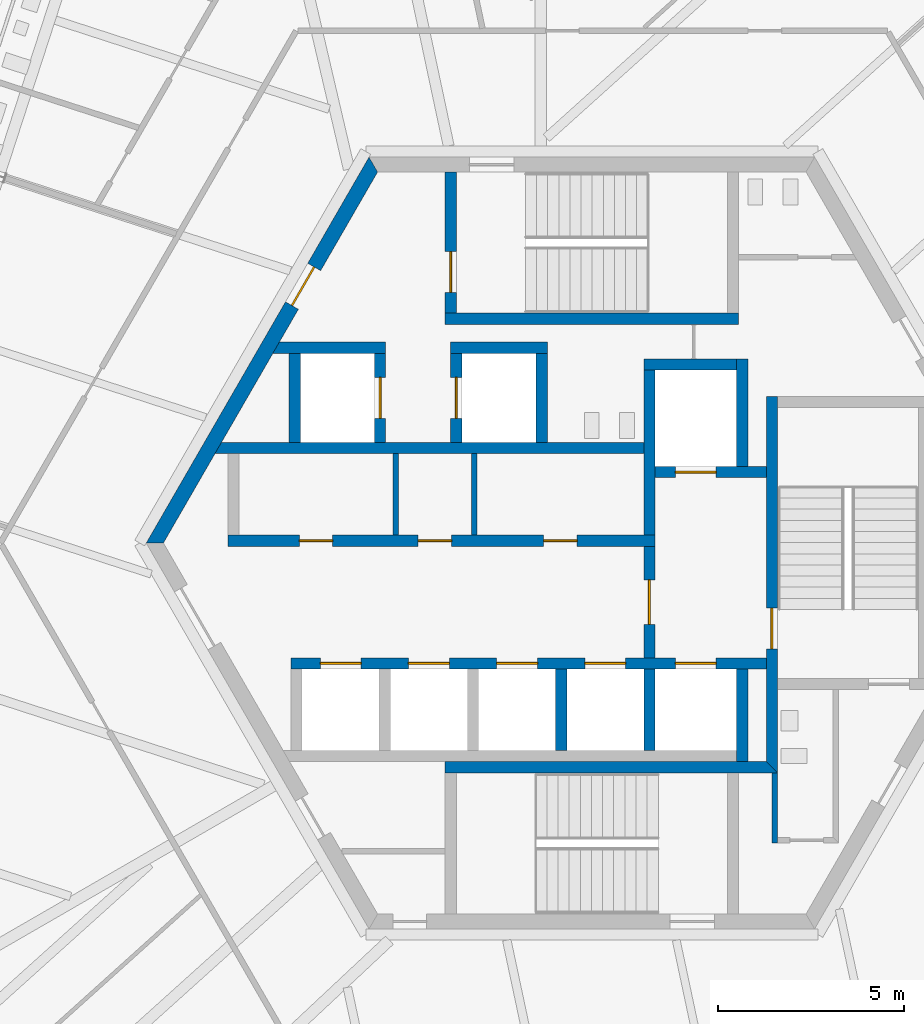
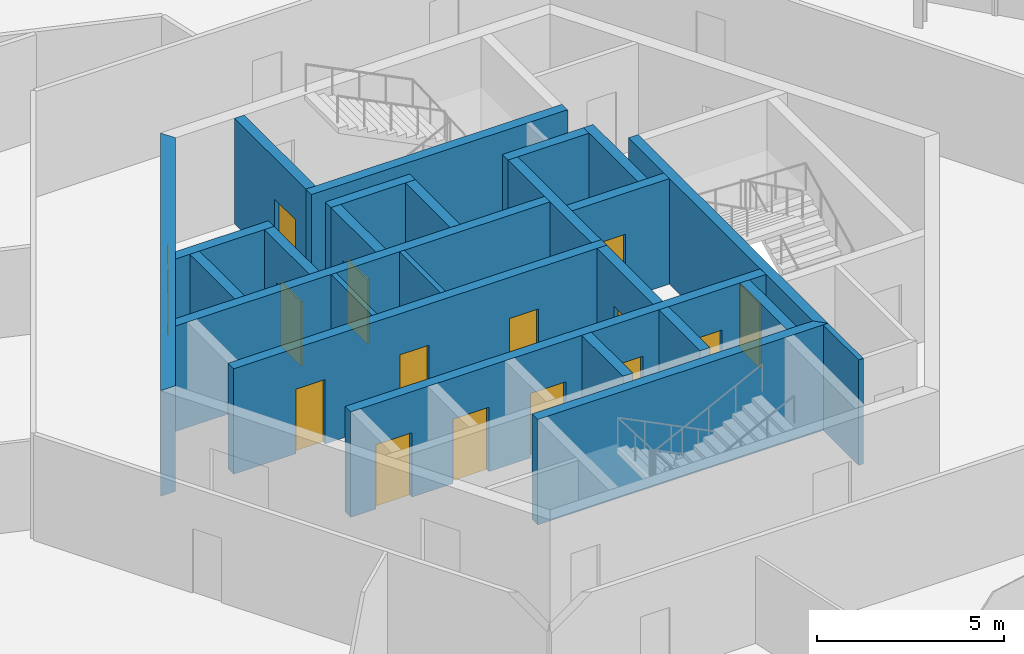
# One storey, part 10 of 16: 25 walls, 15 doors, 15 openings.
"""IFC4 building model written with IfcOpenShell, lengths in metres."""

from ifc_helpers import new_model, si_unit, direction, frame, frame_2d, origin, place, context, subcontext, project, spatial, polyline, rectangle, outline, extrude, source, transform, mapped, material, layer, layer_set, type_object, element, fill, save


model = new_model("IFC4")

# Units and contexts
model_context = context("Model", 3, precision=1e-05, world=origin(), true_north=direction((0.0, 1.0)))
body_context = subcontext(model_context, "Body", "Model", "MODEL_VIEW")
ifc_project = project(units=[si_unit("LENGTHUNIT", "METRE"), si_unit("AREAUNIT", "SQUARE_METRE"), si_unit("VOLUMEUNIT", "CUBIC_METRE"), si_unit("PLANEANGLEUNIT", "RADIAN"), si_unit("MASSUNIT", "GRAM", prefix="KILO")], contexts=[model_context])

# Site, building, storey
site_placement = place(None, origin())
site = spatial("IfcSite", under=ifc_project, at=site_placement, CompositionType="ELEMENT")
building_placement = place(site_placement, origin())
building = spatial("IfcBuilding", under=site, at=building_placement, Name="Triune Harvest Tower", CompositionType="ELEMENT")
storey_placement = place(building_placement, frame((0.0, 0.0, 266.699951171875)))
storey = spatial("IfcBuildingStorey", under=building, at=storey_placement, Name="L70", CompositionType="ELEMENT", Elevation=266.699951171875)

# Wall, opening, door
ifc_material_1 = material(Name="Concrete 70 MPa", Category="concrete")
ifc_layer_1 = layer(ifc_material_1, 0.39990234375)
ifc_layer_set_1 = layer_set([ifc_layer_1], Name="Concrete 70 MPa")
wall_type_1 = type_object("IfcWallType", Name="Core wall 400", PredefinedType="SHEAR", material=ifc_layer_set_1)
shared_shape_1 = source(origin(), body_context, "Body", "SweptSolid", [
    extrude(outline(polyline([(-0.115478515625, -0.199951171875), (11.884521484375, -0.199951171875), (11.653564453125, 0.199951171875), (0.115478515625, 0.199951171875), (-0.115478515625, -0.199951171875)])), origin(), (0.0, 0.0, 1.0), 3.43994140625),
])
wall_1_placement = place(storey_placement, frame((-5.884521484375, 10.1923828125, 0.0), z_axis=(0.0, 0.0, 1.0), x_axis=(-0.499996592174, -0.866027371285, 0.0)))
wall_1 = element("IfcWall", 1, at=wall_1_placement, inside=storey, type_object=wall_type_1, Name="Hexagon 2 wall", PredefinedType="SHEAR", context=body_context, shape_type="MappedRepresentation", body=[
    mapped(shared_shape_1, transform((0.0, 0.0, 0.0), scale=1.0)),
])
opening_1_placement = place(wall_1_placement, frame((3.1845703125, 0.0, 0.0)))
opening_1 = element("IfcOpeningElement", 2, at=opening_1_placement, cuts=wall_1, Name="Opening CD-SVP", PredefinedType="OPENING", context=body_context, shape_type="SweptSolid", body=[
    extrude(rectangle(XDim=1.199951171875, YDim=2.10009765625, at=frame_2d((0.60009765625, 1.050048828125))), frame((0.0, 0.2099609375, 0.0), z_axis=(0.0, -1.0, 0.0), x_axis=(1.0, 0.0, 0.0)), (0.0, 0.0, 1.0), 0.419921875),
])
ifc_material_2 = material(Name="Steel S235", Category="steel")
door_type_1 = type_object("IfcDoorType", Name="Service door 1200 FD120", OperationType="SINGLE_SWING_LEFT", PredefinedType="DOOR", material=ifc_material_2)
door_1_placement = place(opening_1_placement, frame((1.199951171875, 0.0, 0.0), z_axis=(0.0, 0.0, 1.0), x_axis=(-1.0, 0.0, 0.0)))
door_1 = element("IfcDoor", 3, at=door_1_placement, inside=storey, type_object=door_type_1, Name="Door CD-SVP", OperationType="SINGLE_SWING_RIGHT", OverallHeight=2.10009765625, OverallWidth=1.199951171875, PredefinedType="DOOR", context=body_context, shape_type="SweptSolid", body=[
    extrude(rectangle(XDim=1.199951171875, YDim=2.10009765625, at=frame_2d((0.60009765625, 1.050048828125))), frame((0.0, 0.02490234375, 0.0), z_axis=(0.0, -1.0, 0.0), x_axis=(1.0, 0.0, 0.0)), (0.0, 0.0, 1.0), 0.050048828125),
])
fill(opening_1, door_1)

# Wall, openings, doors
ifc_material_3 = material(Name="Concrete 70 MPa", Category="concrete")
ifc_layer_2 = layer(ifc_material_3, 0.300048828125)
ifc_layer_set_2 = layer_set([ifc_layer_2], Name="Concrete 70 MPa")
wall_type_2 = type_object("IfcWallType", Name="Core wall 300", PredefinedType="SHEAR", material=ifc_layer_set_2)
shared_shape_2 = source(origin(), body_context, "Body", "SweptSolid", [
    extrude(rectangle(XDim=11.5, YDim=0.300048828125, at=frame_2d((5.75, 0.0))), origin(), (0.0, 0.0, 1.0), 3.43994140625),
])
wall_2_placement = place(storey_placement, frame((-9.800048828125, 0.06005859375, 0.0), z_axis=(0.0, 0.0, 1.0), x_axis=(1.0, 0.0, 0.0)))
wall_2 = element("IfcWall", 4, at=wall_2_placement, inside=storey, type_object=wall_type_2, Name="North front wall", PredefinedType="SHEAR", context=body_context, shape_type="MappedRepresentation", body=[
    mapped(shared_shape_2, transform((0.0, 0.0, 0.0), scale=1.0)),
])
opening_2_placement = place(wall_2_placement, frame((1.922607421875, 0.0, 0.0)))
opening_2 = element("IfcOpeningElement", 5, at=opening_2_placement, cuts=wall_2, Name="Opening CD-RN1", PredefinedType="OPENING", context=body_context, shape_type="SweptSolid", body=[
    extrude(rectangle(XDim=0.89990234375, YDim=2.10009765625, at=frame_2d((0.449951171875, 1.050048828125))), frame((0.0, 0.16015625, 0.0), z_axis=(0.0, -1.0, 0.0), x_axis=(1.0, 0.0, 0.0)), (0.0, 0.0, 1.0), 0.320068359375),
])
opening_3_placement = place(wall_2_placement, frame((5.125, 0.0, 0.0)))
opening_3 = element("IfcOpeningElement", 6, at=opening_3_placement, cuts=wall_2, Name="Opening CD-RN2", PredefinedType="OPENING", context=body_context, shape_type="SweptSolid", body=[
    extrude(rectangle(XDim=0.89990234375, YDim=2.10009765625, at=frame_2d((0.449951171875, 1.050048828125))), frame((0.0, 0.16015625, 0.0), z_axis=(0.0, -1.0, 0.0), x_axis=(1.0, 0.0, 0.0)), (0.0, 0.0, 1.0), 0.320068359375),
])
opening_4_placement = place(wall_2_placement, frame((8.50244140625, 0.0, 0.0)))
opening_4 = element("IfcOpeningElement", 7, at=opening_4_placement, cuts=wall_2, Name="Opening CD-RN3", PredefinedType="OPENING", context=body_context, shape_type="SweptSolid", body=[
    extrude(rectangle(XDim=0.89990234375, YDim=2.10009765625, at=frame_2d((0.449951171875, 1.050048828125))), frame((0.0, 0.16015625, 0.0), z_axis=(0.0, -1.0, 0.0), x_axis=(1.0, 0.0, 0.0)), (0.0, 0.0, 1.0), 0.320068359375),
])
ifc_material_4 = material(Name="Steel S235", Category="steel")
door_type_2 = type_object("IfcDoorType", Name="Riser door 900 FD120", OperationType="SINGLE_SWING_LEFT", PredefinedType="DOOR", material=ifc_material_4)
door_2_placement = place(opening_2_placement, frame((0.89990234375, 0.0, 0.0), z_axis=(0.0, 0.0, 1.0), x_axis=(-1.0, 0.0, 0.0)))
door_2 = element("IfcDoor", 8, at=door_2_placement, inside=storey, type_object=door_type_2, Name="Door CD-RN1", OperationType="SINGLE_SWING_RIGHT", OverallHeight=2.10009765625, OverallWidth=0.89990234375, PredefinedType="DOOR", context=body_context, shape_type="SweptSolid", body=[
    extrude(rectangle(XDim=0.89990234375, YDim=2.10009765625, at=frame_2d((0.449951171875, 1.050048828125))), frame((0.0, 0.02490234375, 0.0), z_axis=(0.0, -1.0, 0.0), x_axis=(1.0, 0.0, 0.0)), (0.0, 0.0, 1.0), 0.050048828125),
])
fill(opening_2, door_2)
door_3_placement = place(opening_3_placement, frame((0.89990234375, 0.0, 0.0), z_axis=(0.0, 0.0, 1.0), x_axis=(-1.0, 0.0, 0.0)))
door_3 = element("IfcDoor", 9, at=door_3_placement, inside=storey, type_object=door_type_2, Name="Door CD-RN2", OperationType="SINGLE_SWING_RIGHT", OverallHeight=2.10009765625, OverallWidth=0.89990234375, PredefinedType="DOOR", context=body_context, shape_type="SweptSolid", body=[
    extrude(rectangle(XDim=0.89990234375, YDim=2.10009765625, at=frame_2d((0.449951171875, 1.050048828125))), frame((0.0, 0.02490234375, 0.0), z_axis=(0.0, -1.0, 0.0), x_axis=(1.0, 0.0, 0.0)), (0.0, 0.0, 1.0), 0.050048828125),
])
fill(opening_3, door_3)
door_4_placement = place(opening_4_placement, frame((0.89990234375, 0.0, 0.0), z_axis=(0.0, 0.0, 1.0), x_axis=(-1.0, 0.0, 0.0)))
door_4 = element("IfcDoor", 10, at=door_4_placement, inside=storey, type_object=door_type_2, Name="Door CD-RN3", OperationType="SINGLE_SWING_RIGHT", OverallHeight=2.10009765625, OverallWidth=0.89990234375, PredefinedType="DOOR", context=body_context, shape_type="SweptSolid", body=[
    extrude(rectangle(XDim=0.89990234375, YDim=2.10009765625, at=frame_2d((0.449951171875, 1.050048828125))), frame((0.0, 0.02490234375, 0.0), z_axis=(0.0, -1.0, 0.0), x_axis=(1.0, 0.0, 0.0)), (0.0, 0.0, 1.0), 0.050048828125),
])
fill(opening_4, door_4)

# Walls
shared_shape_3 = source(origin(), body_context, "Body", "SweptSolid", [
    extrude(outline(polyline([(11.199951171875, -0.14990234375), (-0.34912109375, -0.14990234375), (-0.17578125, 0.14990234375), (11.199951171875, 0.14990234375), (11.199951171875, -0.14990234375)])), origin(), (0.0, 0.0, 1.0), 3.43994140625),
])
wall_3_placement = place(storey_placement, frame((-9.800048828125, 2.56005859375, 0.0), z_axis=(0.0, 0.0, 1.0), x_axis=(1.0, 0.0, 0.0)))
element("IfcWall", 11, at=wall_3_placement, inside=storey, type_object=wall_type_2, Name="North back wall", PredefinedType="SHEAR", context=body_context, shape_type="MappedRepresentation", body=[
    mapped(shared_shape_3, transform((0.0, 0.0, 0.0), scale=1.0)),
])
shared_shape_4 = source(origin(), body_context, "Body", "SweptSolid", [
    extrude(rectangle(XDim=2.5, YDim=0.300048828125, at=frame_2d((1.25, 0.0))), origin(), (0.0, 0.0, 1.0), 3.43994140625),
])
for number, where, z_axis, x_axis, name in (
    (12, (1.39990234375, 4.81005859375, 0.0), (0.0, 0.0, 1.0), (1.0, 0.0, 0.0), "Ff1 back wall"),
    (13, (4.050048828125, -5.889892578125, 0.0), (0.0, 0.0, 1.0), (0.0, 1.0, 0.0), "Ff2 east wall"),
):
    element("IfcWall", number, at=place(storey_placement, frame(where, z_axis=z_axis, x_axis=x_axis)), inside=storey, type_object=wall_type_2, Name=name, PredefinedType="SHEAR", context=body_context, shape_type="MappedRepresentation", body=[
        mapped(shared_shape_4, transform((0.0, 0.0, 0.0), scale=1.0)),
    ])
shared_shape_5 = source(origin(), body_context, "Body", "SweptSolid", [
    extrude(rectangle(XDim=4.449951171875, YDim=0.300048828125, at=frame_2d((2.22509765625, 0.0))), origin(), (0.0, 0.0, 1.0), 3.43994140625),
])
wall_4_placement = place(storey_placement, frame((1.550048828125, 0.2099609375, 0.0), z_axis=(0.0, 0.0, 1.0), x_axis=(0.0, 1.0, 0.0)))
element("IfcWall", 14, at=wall_4_placement, inside=storey, type_object=wall_type_2, Name="Ff1 west wall", PredefinedType="SHEAR", context=body_context, shape_type="MappedRepresentation", body=[
    mapped(shared_shape_5, transform((0.0, 0.0, 0.0), scale=1.0)),
])

# Wall, opening, door
shared_shape_6 = source(origin(), body_context, "Body", "SweptSolid", [
    extrude(rectangle(XDim=3.0, YDim=0.300048828125, at=frame_2d((1.5, 0.0))), origin(), (0.0, 0.0, 1.0), 3.43994140625),
])
wall_5_placement = place(storey_placement, frame((1.699951171875, 1.909912109375, 0.0), z_axis=(0.0, 0.0, 1.0), x_axis=(1.0, 0.0, 0.0)))
wall_5 = element("IfcWall", 15, at=wall_5_placement, inside=storey, type_object=wall_type_2, Name="Ff1 front wall", PredefinedType="SHEAR", context=body_context, shape_type="MappedRepresentation", body=[
    mapped(shared_shape_6, transform((0.0, 0.0, 0.0), scale=1.0)),
])
opening_5_placement = place(wall_5_placement, frame((0.550048828125, 0.0, 0.0)))
opening_5 = element("IfcOpeningElement", 16, at=opening_5_placement, cuts=wall_5, Name="Opening LD-FF1-70", PredefinedType="OPENING", context=body_context, shape_type="SweptSolid", body=[
    extrude(rectangle(XDim=1.10009765625, YDim=2.10009765625, at=frame_2d((0.550048828125, 1.050048828125))), frame((0.0, 0.16015625, 0.0), z_axis=(0.0, -1.0, 0.0), x_axis=(1.0, 0.0, 0.0)), (0.0, 0.0, 1.0), 0.320068359375),
])
ifc_material_5 = material(Name="Stainless steel AISI 304", Category="steel")
door_type_3 = type_object("IfcDoorType", Name="Landing door 1100 x 2100", OperationType="DOUBLE_DOOR_SLIDING", PredefinedType="DOOR", material=ifc_material_5)
door_5_placement = place(opening_5_placement, origin())
door_5 = element("IfcDoor", 17, at=door_5_placement, inside=storey, type_object=door_type_3, Name="Door LD-FF1-70", OperationType="DOUBLE_DOOR_SLIDING", OverallHeight=2.10009765625, OverallWidth=1.10009765625, PredefinedType="DOOR", context=body_context, shape_type="SweptSolid", body=[
    extrude(rectangle(XDim=1.10009765625, YDim=2.10009765625, at=frame_2d((0.550048828125, 1.050048828125))), frame((0.0, 0.02490234375, 0.0), z_axis=(0.0, -1.0, 0.0), x_axis=(1.0, 0.0, 0.0)), (0.0, 0.0, 1.0), 0.050048828125),
])
fill(opening_5, door_5)

wall_6_placement = place(storey_placement, frame((1.550048828125, -3.090087890625, 0.0), z_axis=(0.0, 0.0, 1.0), x_axis=(0.0, 1.0, 0.0)))
wall_6 = element("IfcWall", 18, at=wall_6_placement, inside=storey, type_object=wall_type_2, Name="Ff lobby west wall", PredefinedType="SHEAR", context=body_context, shape_type="MappedRepresentation", body=[
    mapped(shared_shape_6, transform((0.0, 0.0, 0.0), scale=1.0)),
])
opening_6_placement = place(wall_6_placement, frame((0.89990234375, 0.0, 0.0)))
opening_6 = element("IfcOpeningElement", 19, at=opening_6_placement, cuts=wall_6, Name="Opening CD-FL", PredefinedType="OPENING", context=body_context, shape_type="SweptSolid", body=[
    extrude(rectangle(XDim=1.199951171875, YDim=2.10009765625, at=frame_2d((0.60009765625, 1.050048828125))), frame((0.0, 0.16015625, 0.0), z_axis=(0.0, -1.0, 0.0), x_axis=(1.0, 0.0, 0.0)), (0.0, 0.0, 1.0), 0.320068359375),
])
ifc_material_6 = material(Name="Steel S235", Category="steel")
door_type_4 = type_object("IfcDoorType", Name="Firefighters' lobby door 1200 FD120", OperationType="SINGLE_SWING_LEFT", PredefinedType="DOOR", material=ifc_material_6)
door_6_placement = place(opening_6_placement, frame((1.199951171875, 0.0, 0.0), z_axis=(0.0, 0.0, 1.0), x_axis=(-1.0, 0.0, 0.0)))
door_6 = element("IfcDoor", 20, at=door_6_placement, inside=storey, type_object=door_type_4, Name="Door CD-FL", OperationType="SINGLE_SWING_RIGHT", OverallHeight=2.10009765625, OverallWidth=1.199951171875, PredefinedType="DOOR", context=body_context, shape_type="SweptSolid", body=[
    extrude(rectangle(XDim=1.199951171875, YDim=2.10009765625, at=frame_2d((0.60009765625, 1.050048828125))), frame((0.0, 0.02490234375, 0.0), z_axis=(0.0, -1.0, 0.0), x_axis=(1.0, 0.0, 0.0)), (0.0, 0.0, 1.0), 0.050048828125),
])
fill(opening_6, door_6)

# Wall
shared_shape_7 = source(origin(), body_context, "Body", "SweptSolid", [
    extrude(rectangle(XDim=2.89990234375, YDim=0.300048828125, at=frame_2d((1.449951171875, 0.0))), origin(), (0.0, 0.0, 1.0), 3.43994140625),
])
wall_7_placement = place(storey_placement, frame((4.050048828125, 2.06005859375, 0.0), z_axis=(0.0, 0.0, 1.0), x_axis=(0.0, 1.0, 0.0)))
element("IfcWall", 21, at=wall_7_placement, inside=storey, type_object=wall_type_2, Name="Ff1 east wall", PredefinedType="SHEAR", context=body_context, shape_type="MappedRepresentation", body=[
    mapped(shared_shape_7, transform((0.0, 0.0, 0.0), scale=1.0)),
])

# Wall, openings, doors
shared_shape_8 = source(origin(), body_context, "Body", "SweptSolid", [
    extrude(rectangle(XDim=12.800048828125, YDim=0.300048828125, at=frame_2d((6.39990234375, 0.0))), origin(), (0.0, 0.0, 1.0), 3.43994140625),
])
wall_8_placement = place(storey_placement, frame((-8.10009765625, -3.239990234375, 0.0), z_axis=(0.0, 0.0, 1.0), x_axis=(1.0, 0.0, 0.0)))
wall_8 = element("IfcWall", 22, at=wall_8_placement, inside=storey, type_object=wall_type_2, Name="South front wall", PredefinedType="SHEAR", context=body_context, shape_type="MappedRepresentation", body=[
    mapped(shared_shape_8, transform((0.0, 0.0, 0.0), scale=1.0)),
])
opening_7_placement = place(wall_8_placement, frame((0.78759765625, 0.0, 0.0)))
opening_7 = element("IfcOpeningElement", 23, at=opening_7_placement, cuts=wall_8, Name="Opening LD-HR1-70", PredefinedType="OPENING", context=body_context, shape_type="SweptSolid", body=[
    extrude(rectangle(XDim=1.10009765625, YDim=2.10009765625, at=frame_2d((0.550048828125, 1.050048828125))), frame((0.0, 0.16015625, 0.0), z_axis=(0.0, -1.0, 0.0), x_axis=(1.0, 0.0, 0.0)), (0.0, 0.0, 1.0), 0.320068359375),
])
opening_8_placement = place(wall_8_placement, frame((3.16259765625, 0.0, 0.0)))
opening_8 = element("IfcOpeningElement", 24, at=opening_8_placement, cuts=wall_8, Name="Opening LD-HR2-70", PredefinedType="OPENING", context=body_context, shape_type="SweptSolid", body=[
    extrude(rectangle(XDim=1.10009765625, YDim=2.10009765625, at=frame_2d((0.550048828125, 1.050048828125))), frame((0.0, 0.16015625, 0.0), z_axis=(0.0, -1.0, 0.0), x_axis=(1.0, 0.0, 0.0)), (0.0, 0.0, 1.0), 0.320068359375),
])
opening_9_placement = place(wall_8_placement, frame((5.53759765625, 0.0, 0.0)))
opening_9 = element("IfcOpeningElement", 25, at=opening_9_placement, cuts=wall_8, Name="Opening LD-HR3-70", PredefinedType="OPENING", context=body_context, shape_type="SweptSolid", body=[
    extrude(rectangle(XDim=1.10009765625, YDim=2.10009765625, at=frame_2d((0.550048828125, 1.050048828125))), frame((0.0, 0.16015625, 0.0), z_axis=(0.0, -1.0, 0.0), x_axis=(1.0, 0.0, 0.0)), (0.0, 0.0, 1.0), 0.320068359375),
])
opening_10_placement = place(wall_8_placement, frame((7.91259765625, 0.0, 0.0)))
opening_10 = element("IfcOpeningElement", 26, at=opening_10_placement, cuts=wall_8, Name="Opening LD-HR4-70", PredefinedType="OPENING", context=body_context, shape_type="SweptSolid", body=[
    extrude(rectangle(XDim=1.10009765625, YDim=2.10009765625, at=frame_2d((0.550048828125, 1.050048828125))), frame((0.0, 0.16015625, 0.0), z_axis=(0.0, -1.0, 0.0), x_axis=(1.0, 0.0, 0.0)), (0.0, 0.0, 1.0), 0.320068359375),
])
opening_11_placement = place(wall_8_placement, frame((10.35009765625, 0.0, 0.0)))
opening_11 = element("IfcOpeningElement", 27, at=opening_11_placement, cuts=wall_8, Name="Opening LD-FF2-70", PredefinedType="OPENING", context=body_context, shape_type="SweptSolid", body=[
    extrude(rectangle(XDim=1.10009765625, YDim=2.10009765625, at=frame_2d((0.550048828125, 1.050048828125))), frame((0.0, 0.16015625, 0.0), z_axis=(0.0, -1.0, 0.0), x_axis=(1.0, 0.0, 0.0)), (0.0, 0.0, 1.0), 0.320068359375),
])
door_7_placement = place(opening_7_placement, origin())
door_7 = element("IfcDoor", 28, at=door_7_placement, inside=storey, type_object=door_type_3, Name="Door LD-HR1-70", OperationType="DOUBLE_DOOR_SLIDING", OverallHeight=2.10009765625, OverallWidth=1.10009765625, PredefinedType="DOOR", context=body_context, shape_type="SweptSolid", body=[
    extrude(rectangle(XDim=1.10009765625, YDim=2.10009765625, at=frame_2d((0.550048828125, 1.050048828125))), frame((0.0, 0.02490234375, 0.0), z_axis=(0.0, -1.0, 0.0), x_axis=(1.0, 0.0, 0.0)), (0.0, 0.0, 1.0), 0.050048828125),
])
fill(opening_7, door_7)
door_8_placement = place(opening_8_placement, origin())
door_8 = element("IfcDoor", 29, at=door_8_placement, inside=storey, type_object=door_type_3, Name="Door LD-HR2-70", OperationType="DOUBLE_DOOR_SLIDING", OverallHeight=2.10009765625, OverallWidth=1.10009765625, PredefinedType="DOOR", context=body_context, shape_type="SweptSolid", body=[
    extrude(rectangle(XDim=1.10009765625, YDim=2.10009765625, at=frame_2d((0.550048828125, 1.050048828125))), frame((0.0, 0.02490234375, 0.0), z_axis=(0.0, -1.0, 0.0), x_axis=(1.0, 0.0, 0.0)), (0.0, 0.0, 1.0), 0.050048828125),
])
fill(opening_8, door_8)
door_9_placement = place(opening_9_placement, origin())
door_9 = element("IfcDoor", 30, at=door_9_placement, inside=storey, type_object=door_type_3, Name="Door LD-HR3-70", OperationType="DOUBLE_DOOR_SLIDING", OverallHeight=2.10009765625, OverallWidth=1.10009765625, PredefinedType="DOOR", context=body_context, shape_type="SweptSolid", body=[
    extrude(rectangle(XDim=1.10009765625, YDim=2.10009765625, at=frame_2d((0.550048828125, 1.050048828125))), frame((0.0, 0.02490234375, 0.0), z_axis=(0.0, -1.0, 0.0), x_axis=(1.0, 0.0, 0.0)), (0.0, 0.0, 1.0), 0.050048828125),
])
fill(opening_9, door_9)
door_10_placement = place(opening_10_placement, origin())
door_10 = element("IfcDoor", 31, at=door_10_placement, inside=storey, type_object=door_type_3, Name="Door LD-HR4-70", OperationType="DOUBLE_DOOR_SLIDING", OverallHeight=2.10009765625, OverallWidth=1.10009765625, PredefinedType="DOOR", context=body_context, shape_type="SweptSolid", body=[
    extrude(rectangle(XDim=1.10009765625, YDim=2.10009765625, at=frame_2d((0.550048828125, 1.050048828125))), frame((0.0, 0.02490234375, 0.0), z_axis=(0.0, -1.0, 0.0), x_axis=(1.0, 0.0, 0.0)), (0.0, 0.0, 1.0), 0.050048828125),
])
fill(opening_10, door_10)
door_11_placement = place(opening_11_placement, origin())
door_11 = element("IfcDoor", 32, at=door_11_placement, inside=storey, type_object=door_type_3, Name="Door LD-FF2-70", OperationType="DOUBLE_DOOR_SLIDING", OverallHeight=2.10009765625, OverallWidth=1.10009765625, PredefinedType="DOOR", context=body_context, shape_type="SweptSolid", body=[
    extrude(rectangle(XDim=1.10009765625, YDim=2.10009765625, at=frame_2d((0.550048828125, 1.050048828125))), frame((0.0, 0.02490234375, 0.0), z_axis=(0.0, -1.0, 0.0), x_axis=(1.0, 0.0, 0.0)), (0.0, 0.0, 1.0), 0.050048828125),
])
fill(opening_11, door_11)

# Walls
shared_shape_9 = source(origin(), body_context, "Body", "SweptSolid", [
    extrude(rectangle(XDim=2.2001953125, YDim=0.300048828125, at=frame_2d((1.10009765625, 0.0))), origin(), (0.0, 0.0, 1.0), 3.43994140625),
])
for number, where, z_axis, x_axis, name in (
    (33, (1.550048828125, -5.590087890625, 0.0), (0.0, 0.0, 1.0), (0.0, 1.0, 0.0), "Ff2 west wall"),
    (34, (-0.824951171875, -5.590087890625, 0.0), (0.0, 0.0, 1.0), (0.0, 1.0, 0.0), "South cross 3 wall"),
):
    element("IfcWall", number, at=place(storey_placement, frame(where, z_axis=z_axis, x_axis=x_axis)), inside=storey, type_object=wall_type_2, Name=name, PredefinedType="SHEAR", context=body_context, shape_type="MappedRepresentation", body=[
        mapped(shared_shape_9, transform((0.0, 0.0, 0.0), scale=1.0)),
    ])

# Wall, opening, door
shared_shape_10 = source(origin(), body_context, "Body", "SweptSolid", [
    extrude(outline(polyline([(-0.14990234375, -0.14990234375), (9.989990234375, -0.14990234375), (9.989990234375, 0.14990234375), (0.14990234375, 0.14990234375), (-0.14990234375, -0.14990234375)])), origin(), (0.0, 0.0, 1.0), 3.43994140625),
])
wall_9_placement = place(storey_placement, frame((4.85009765625, -6.0400390625, 0.0), z_axis=(0.0, 0.0, 1.0), x_axis=(0.0, 1.0, 0.0)))
wall_9 = element("IfcWall", 35, at=wall_9_placement, inside=storey, type_object=wall_type_2, Name="Stair e west wall", PredefinedType="SHEAR", context=body_context, shape_type="MappedRepresentation", body=[
    mapped(shared_shape_10, transform((0.0, 0.0, 0.0), scale=1.0)),
])
opening_12_placement = place(wall_9_placement, frame((3.18994140625, 0.0, 0.0)))
opening_12 = element("IfcOpeningElement", 36, at=opening_12_placement, cuts=wall_9, Name="Opening CD-S3L", PredefinedType="OPENING", context=body_context, shape_type="SweptSolid", body=[
    extrude(rectangle(XDim=1.10009765625, YDim=2.10009765625, at=frame_2d((0.550048828125, 1.050048828125))), frame((0.0, 0.16015625, 0.0), z_axis=(0.0, -1.0, 0.0), x_axis=(1.0, 0.0, 0.0)), (0.0, 0.0, 1.0), 0.320068359375),
])
ifc_material_7 = material(Name="Steel S235", Category="steel")
door_type_5 = type_object("IfcDoorType", Name="Stair door 1100 FD120", OperationType="SINGLE_SWING_LEFT", PredefinedType="DOOR", material=ifc_material_7)
door_12_placement = place(opening_12_placement, frame((1.10009765625, 0.0, 0.0), z_axis=(0.0, 0.0, 1.0), x_axis=(-1.0, 0.0, 0.0)))
door_12 = element("IfcDoor", 37, at=door_12_placement, inside=storey, type_object=door_type_5, Name="Door CD-S3L", OperationType="SINGLE_SWING_RIGHT", OverallHeight=2.10009765625, OverallWidth=1.10009765625, PredefinedType="DOOR", context=body_context, shape_type="SweptSolid", body=[
    extrude(rectangle(XDim=1.10009765625, YDim=2.10009765625, at=frame_2d((0.550048828125, 1.050048828125))), frame((0.0, 0.02490234375, 0.0), z_axis=(0.0, -1.0, 0.0), x_axis=(1.0, 0.0, 0.0)), (0.0, 0.0, 1.0), 0.050048828125),
])
fill(opening_12, door_12)

# Wall
shared_shape_11 = source(origin(), body_context, "Body", "SweptSolid", [
    extrude(rectangle(XDim=7.89990234375, YDim=0.300048828125, at=frame_2d((3.949951171875, 0.0))), origin(), (0.0, 0.0, 1.0), 3.43994140625),
])
wall_10_placement = place(storey_placement, frame((-3.949951171875, 6.0400390625, 0.0), z_axis=(0.0, 0.0, 1.0), x_axis=(1.0, 0.0, 0.0)))
element("IfcWall", 38, at=wall_10_placement, inside=storey, type_object=wall_type_2, Name="Stair n south wall", PredefinedType="SHEAR", context=body_context, shape_type="MappedRepresentation", body=[
    mapped(shared_shape_11, transform((0.0, 0.0, 0.0), scale=1.0)),
])

# Wall, opening, door
shared_shape_12 = source(origin(), body_context, "Body", "SweptSolid", [
    extrude(outline(polyline([(0.0, -0.14990234375), (0.0, 0.14990234375), (3.80419921875, 0.14990234375), (3.80419921875, -0.14990234375), (0.0, -0.14990234375)])), origin(), (0.0, 0.0, 1.0), 3.43994140625),
])
wall_11_placement = place(storey_placement, frame((-3.800048828125, 6.18994140625, 0.0), z_axis=(0.0, 0.0, 1.0), x_axis=(0.0, 1.0, 0.0)))
wall_11 = element("IfcWall", 39, at=wall_11_placement, inside=storey, type_object=wall_type_2, Name="Stair n west wall", PredefinedType="SHEAR", context=body_context, shape_type="MappedRepresentation", body=[
    mapped(shared_shape_12, transform((0.0, 0.0, 0.0), scale=1.0)),
])
opening_13_placement = place(wall_11_placement, frame((0.56005859375, 0.0, 0.0)))
opening_13 = element("IfcOpeningElement", 40, at=opening_13_placement, cuts=wall_11, Name="Opening CD-S1L", PredefinedType="OPENING", context=body_context, shape_type="SweptSolid", body=[
    extrude(rectangle(XDim=1.10009765625, YDim=2.10009765625, at=frame_2d((0.550048828125, 1.050048828125))), frame((0.0, 0.16015625, 0.0), z_axis=(0.0, -1.0, 0.0), x_axis=(1.0, 0.0, 0.0)), (0.0, 0.0, 1.0), 0.320068359375),
])
door_13_placement = place(opening_13_placement, frame((1.10009765625, 0.0, 0.0), z_axis=(0.0, 0.0, 1.0), x_axis=(-1.0, 0.0, 0.0)))
door_13 = element("IfcDoor", 41, at=door_13_placement, inside=storey, type_object=door_type_5, Name="Door CD-S1L", OperationType="SINGLE_SWING_RIGHT", OverallHeight=2.10009765625, OverallWidth=1.10009765625, PredefinedType="DOOR", context=body_context, shape_type="SweptSolid", body=[
    extrude(rectangle(XDim=1.10009765625, YDim=2.10009765625, at=frame_2d((0.550048828125, 1.050048828125))), frame((0.0, 0.02490234375, 0.0), z_axis=(0.0, -1.0, 0.0), x_axis=(1.0, 0.0, 0.0)), (0.0, 0.0, 1.0), 0.050048828125),
])
fill(opening_13, door_13)

# Walls
shared_shape_13 = source(origin(), body_context, "Body", "SweptSolid", [
    extrude(outline(polyline([(0.0, -0.14990234375), (8.949951171875, -0.14990234375), (8.64990234375, 0.14990234375), (0.0, 0.14990234375), (0.0, -0.14990234375)])), origin(), (0.0, 0.0, 1.0), 3.43994140625),
])
wall_12_placement = place(storey_placement, frame((-3.949951171875, -6.0400390625, 0.0), z_axis=(0.0, 0.0, 1.0), x_axis=(1.0, 0.0, 0.0)))
element("IfcWall", 42, at=wall_12_placement, inside=storey, type_object=wall_type_2, Name="Stair s north wall", PredefinedType="SHEAR", context=body_context, shape_type="MappedRepresentation", body=[
    mapped(shared_shape_13, transform((0.0, 0.0, 0.0), scale=1.0)),
])
shared_shape_14 = source(origin(), body_context, "Body", "SweptSolid", [
    extrude(outline(polyline([(2.60009765625, -0.14990234375), (-0.440185546875, -0.14990234375), (-0.26708984375, 0.14990234375), (2.60009765625, 0.14990234375), (2.60009765625, -0.14990234375)])), origin(), (0.0, 0.0, 1.0), 3.43994140625),
])
wall_13_placement = place(storey_placement, frame((-8.14990234375, 5.260009765625, 0.0), z_axis=(0.0, 0.0, 1.0), x_axis=(1.0, 0.0, 0.0)))
element("IfcWall", 43, at=wall_13_placement, inside=storey, type_object=wall_type_2, Name="Sv1 north wall", PredefinedType="SHEAR", context=body_context, shape_type="MappedRepresentation", body=[
    mapped(shared_shape_14, transform((0.0, 0.0, 0.0), scale=1.0)),
])
shared_shape_15 = source(origin(), body_context, "Body", "SweptSolid", [
    extrude(rectangle(XDim=2.400146484375, YDim=0.300048828125, at=frame_2d((1.2001953125, 0.0))), origin(), (0.0, 0.0, 1.0), 3.43994140625),
])
wall_14_placement = place(storey_placement, frame((-8.0, 2.7099609375, 0.0), z_axis=(0.0, 0.0, 1.0), x_axis=(0.0, 1.0, 0.0)))
element("IfcWall", 44, at=wall_14_placement, inside=storey, type_object=wall_type_2, Name="Sv1 west wall", PredefinedType="SHEAR", context=body_context, shape_type="MappedRepresentation", body=[
    mapped(shared_shape_15, transform((0.0, 0.0, 0.0), scale=1.0)),
])

# Wall, opening, door
wall_15_placement = place(storey_placement, frame((-5.699951171875, 2.7099609375, 0.0), z_axis=(0.0, 0.0, 1.0), x_axis=(0.0, 1.0, 0.0)))
wall_15 = element("IfcWall", 45, at=wall_15_placement, inside=storey, type_object=wall_type_2, Name="Sv1 east wall", PredefinedType="SHEAR", context=body_context, shape_type="MappedRepresentation", body=[
    mapped(shared_shape_15, transform((0.0, 0.0, 0.0), scale=1.0)),
])
opening_14_placement = place(wall_15_placement, frame((0.64990234375, 0.0, 0.0)))
opening_14 = element("IfcOpeningElement", 46, at=opening_14_placement, cuts=wall_15, Name="Opening LD-SV1-70", PredefinedType="OPENING", context=body_context, shape_type="SweptSolid", body=[
    extrude(rectangle(XDim=1.10009765625, YDim=2.10009765625, at=frame_2d((0.550048828125, 1.050048828125))), frame((0.0, 0.16015625, 0.0), z_axis=(0.0, -1.0, 0.0), x_axis=(1.0, 0.0, 0.0)), (0.0, 0.0, 1.0), 0.320068359375),
])
door_14_placement = place(opening_14_placement, origin())
door_14 = element("IfcDoor", 47, at=door_14_placement, inside=storey, type_object=door_type_3, Name="Door LD-SV1-70", OperationType="DOUBLE_DOOR_SLIDING", OverallHeight=2.10009765625, OverallWidth=1.10009765625, PredefinedType="DOOR", context=body_context, shape_type="SweptSolid", body=[
    extrude(rectangle(XDim=1.10009765625, YDim=2.10009765625, at=frame_2d((0.550048828125, 1.050048828125))), frame((0.0, 0.02490234375, 0.0), z_axis=(0.0, -1.0, 0.0), x_axis=(1.0, 0.0, 0.0)), (0.0, 0.0, 1.0), 0.050048828125),
])
fill(opening_14, door_14)

wall_16_placement = place(storey_placement, frame((-3.64990234375, 2.7099609375, 0.0), z_axis=(0.0, 0.0, 1.0), x_axis=(0.0, 1.0, 0.0)))
wall_16 = element("IfcWall", 48, at=wall_16_placement, inside=storey, type_object=wall_type_2, Name="Sv2 west wall", PredefinedType="SHEAR", context=body_context, shape_type="MappedRepresentation", body=[
    mapped(shared_shape_15, transform((0.0, 0.0, 0.0), scale=1.0)),
])
opening_15_placement = place(wall_16_placement, frame((0.64990234375, 0.0, 0.0)))
opening_15 = element("IfcOpeningElement", 49, at=opening_15_placement, cuts=wall_16, Name="Opening LD-SV2-70", PredefinedType="OPENING", context=body_context, shape_type="SweptSolid", body=[
    extrude(rectangle(XDim=1.10009765625, YDim=2.10009765625, at=frame_2d((0.550048828125, 1.050048828125))), frame((0.0, 0.16015625, 0.0), z_axis=(0.0, -1.0, 0.0), x_axis=(1.0, 0.0, 0.0)), (0.0, 0.0, 1.0), 0.320068359375),
])
door_15_placement = place(opening_15_placement, origin())
door_15 = element("IfcDoor", 50, at=door_15_placement, inside=storey, type_object=door_type_3, Name="Door LD-SV2-70", OperationType="DOUBLE_DOOR_SLIDING", OverallHeight=2.10009765625, OverallWidth=1.10009765625, PredefinedType="DOOR", context=body_context, shape_type="SweptSolid", body=[
    extrude(rectangle(XDim=1.10009765625, YDim=2.10009765625, at=frame_2d((0.550048828125, 1.050048828125))), frame((0.0, 0.02490234375, 0.0), z_axis=(0.0, -1.0, 0.0), x_axis=(1.0, 0.0, 0.0)), (0.0, 0.0, 1.0), 0.050048828125),
])
fill(opening_15, door_15)

# Walls
wall_17_placement = place(storey_placement, frame((-1.35009765625, 2.7099609375, 0.0), z_axis=(0.0, 0.0, 1.0), x_axis=(0.0, 1.0, 0.0)))
element("IfcWall", 51, at=wall_17_placement, inside=storey, type_object=wall_type_2, Name="Sv2 east wall", PredefinedType="SHEAR", context=body_context, shape_type="MappedRepresentation", body=[
    mapped(shared_shape_15, transform((0.0, 0.0, 0.0), scale=1.0)),
])
shared_shape_16 = source(origin(), body_context, "Body", "SweptSolid", [
    extrude(rectangle(XDim=2.60009765625, YDim=0.300048828125, at=frame_2d((1.300048828125, 0.0))), origin(), (0.0, 0.0, 1.0), 3.43994140625),
])
wall_18_placement = place(storey_placement, frame((-3.800048828125, 5.260009765625, 0.0), z_axis=(0.0, 0.0, 1.0), x_axis=(1.0, 0.0, 0.0)))
element("IfcWall", 52, at=wall_18_placement, inside=storey, type_object=wall_type_2, Name="Sv2 north wall", PredefinedType="SHEAR", context=body_context, shape_type="MappedRepresentation", body=[
    mapped(shared_shape_16, transform((0.0, 0.0, 0.0), scale=1.0)),
])
ifc_material_8 = material(Name="Concrete masonry unit", Category="masonry")
ifc_layer_3 = layer(ifc_material_8, 0.14990234375)
ifc_layer_set_3 = layer_set([ifc_layer_3], Name="Concrete masonry unit")
wall_type_3 = type_object("IfcWallType", Name="Block partition 150 unrated", PredefinedType="PARTITIONING", material=ifc_layer_set_3)
shared_shape_17 = source(origin(), body_context, "Body", "SweptSolid", [
    extrude(rectangle(XDim=1.885009765625, YDim=0.14990234375, at=frame_2d((0.9423828125, 0.0))), origin(), (0.0, 0.0, 1.0), 3.43994140625),
])
wall_19_placement = place(storey_placement, frame((4.925048828125, -8.074951171875, 0.0), z_axis=(0.0, 0.0, 1.0), x_axis=(0.0, 1.0, 0.0)))
element("IfcWall", 53, at=wall_19_placement, inside=storey, type_object=wall_type_3, Name="Wc acc west wall", PredefinedType="PARTITIONING", context=body_context, shape_type="MappedRepresentation", body=[
    mapped(shared_shape_17, transform((0.0, 0.0, 0.0), scale=1.0)),
])
ifc_material_9 = material(Name="Concrete masonry unit", Category="masonry")
ifc_layer_4 = layer(ifc_material_9, 0.14990234375)
ifc_layer_set_4 = layer_set([ifc_layer_4], Name="Concrete masonry unit")
wall_type_4 = type_object("IfcWallType", Name="Block partition 150", PredefinedType="PARTITIONING", material=ifc_layer_set_4)
shared_shape_18 = source(origin(), body_context, "Body", "SweptSolid", [
    extrude(rectangle(XDim=2.199951171875, YDim=0.14990234375, at=frame_2d((1.10009765625, 0.0))), origin(), (0.0, 0.0, 1.0), 3.43994140625),
])
for number, where, z_axis, x_axis, name in (
    (54, (-5.280029296875, 0.2099609375, 0.0), (0.0, 0.0, 1.0), (0.0, 1.0, 0.0), "Row n part 1 wall"),
    (55, (-3.169921875, 0.2099609375, 0.0), (0.0, 0.0, 1.0), (0.0, 1.0, 0.0), "Row n part 2 wall"),
):
    element("IfcWall", number, at=place(storey_placement, frame(where, z_axis=z_axis, x_axis=x_axis)), inside=storey, type_object=wall_type_4, Name=name, PredefinedType="PARTITIONING", context=body_context, shape_type="MappedRepresentation", body=[
        mapped(shared_shape_18, transform((0.0, 0.0, 0.0), scale=1.0)),
    ])

save(model, "model.ifc")
